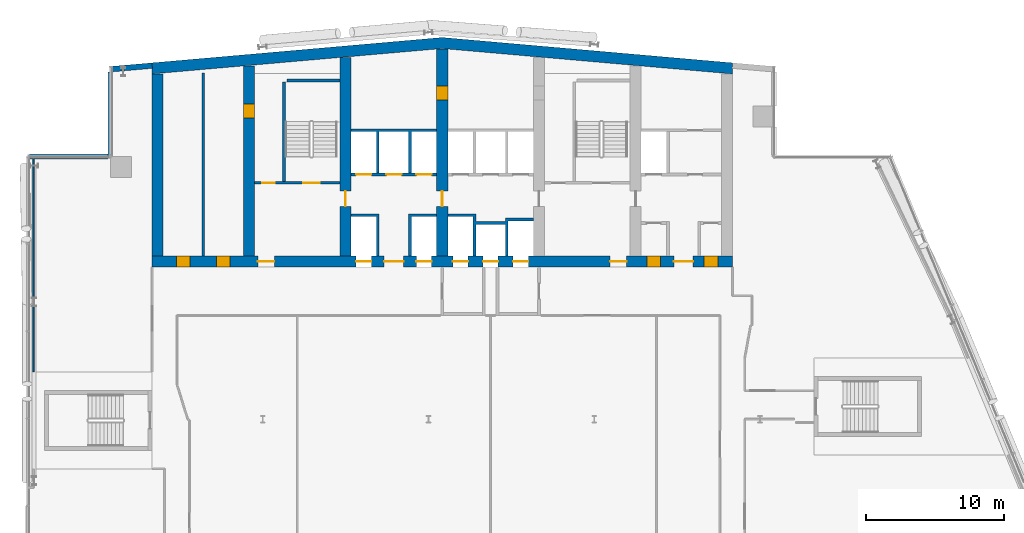
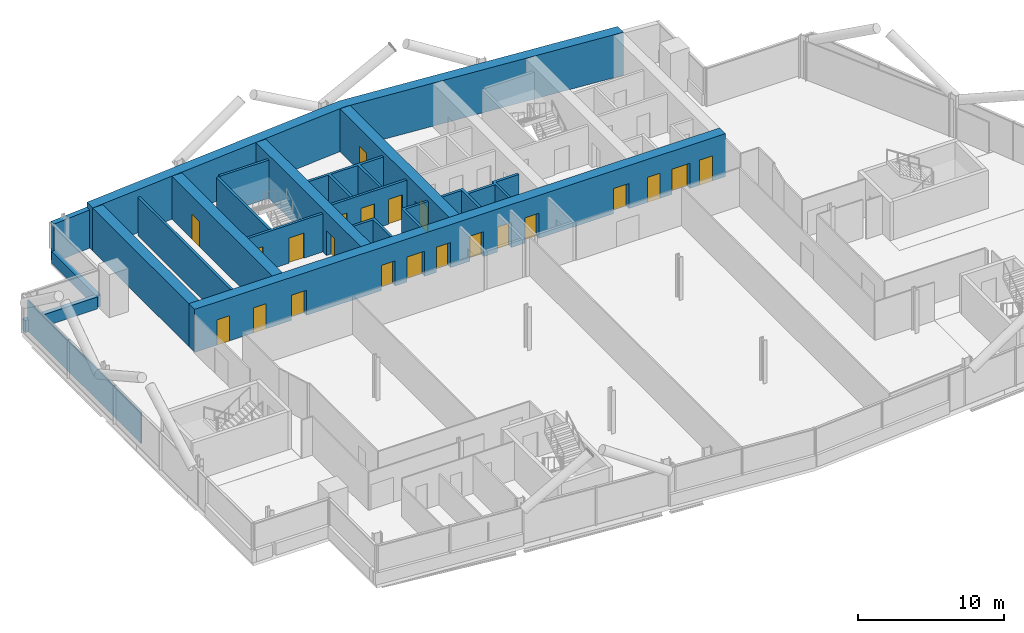
# One storey, part 18 of 26: 22 doors, 19 walls, 22 openings.
"""IFC4 building model written with IfcOpenShell, lengths in metres."""

from ifc_helpers import new_model, si_unit, direction, frame, frame_2d, origin, place, context, subcontext, project, spatial, polyline, rectangle, outline, extrude, material, layer, layer_set, type_object, element, fill, save


model = new_model("IFC4")

# Units and contexts
model_context = context("Model", 3, precision=1e-05, world=origin(), true_north=direction((0.0, 1.0)))
body_context = subcontext(model_context, "Body", "Model", "MODEL_VIEW")
ifc_project = project(units=[si_unit("LENGTHUNIT", "METRE"), si_unit("AREAUNIT", "SQUARE_METRE"), si_unit("VOLUMEUNIT", "CUBIC_METRE"), si_unit("PLANEANGLEUNIT", "RADIAN"), si_unit("MASSUNIT", "GRAM", prefix="KILO")], contexts=[model_context])

# Site, building, storey
site_placement = place(None, origin())
site = spatial("IfcSite", under=ifc_project, at=site_placement, CompositionType="ELEMENT")
building_placement = place(site_placement, origin())
building = spatial("IfcBuilding", under=site, at=building_placement, Name="Wharfspan Tower", CompositionType="ELEMENT")
storey_placement = place(building_placement, frame((0.0, 0.0, 177.100098)))
storey = spatial("IfcBuildingStorey", under=building, at=storey_placement, Name="L43", CompositionType="ELEMENT", Elevation=177.100098)

# Walls
ifc_material_1 = material(Name="Calcium silicate masonry", Category="masonry")
ifc_layer_1 = layer(ifc_material_1, 0.199951)
ifc_layer_set_1 = layer_set([ifc_layer_1], Name="Calcium silicate masonry")
wall_type_1 = type_object("IfcWallType", Name="Core room wall 200", PredefinedType="PARTITIONING", material=ifc_layer_set_1)
wall_1_placement = place(storey_placement, frame((19.699951, 34.800049, 0.0), z_axis=(0.0, 0.0, 1.0), x_axis=(0.0, 1.0, 0.0)))
element("IfcWall", 1, at=wall_1_placement, inside=storey, type_object=wall_type_1, Name="sw:L43:RM1", PredefinedType="PARTITIONING", context=body_context, shape_type="SweptSolid", body=[
    extrude(rectangle(XDim=13.234131, YDim=0.199951, at=frame_2d((6.617188, 0.0))), origin(), (0.0, 0.0, 1.0), 3.199951),
])
ifc_material_2 = material(Name="Concrete C60/75", Category="concrete")
ifc_layer_2 = layer(ifc_material_2, 0.800049)
ifc_layer_set_2 = layer_set([ifc_layer_2], Name="Concrete C60/75")
wall_type_2 = type_object("IfcWallType", Name="Core wall 800 C60/75", PredefinedType="SHEAR", material=ifc_layer_set_2)
wall_2_placement = place(storey_placement, frame((0.0, 0.0, -0.000244)))
element("IfcWall", 2, at=wall_2_placement, inside=storey, type_object=wall_type_2, Name="Core rear wall L43", PredefinedType="SHEAR", context=body_context, shape_type="SweptSolid", body=[
    extrude(outline(polyline([(16.0, 47.984375), (37.0, 49.821533), (58.0, 47.984375), (58.0, 48.787354), (37.0, 50.624756), (16.0, 48.787354), (16.0, 47.984375)])), origin(), (0.0, 0.0, 1.0), 3.600098),
])

# Wall, openings, doors
wall_3_placement = place(storey_placement, frame((16.0, 34.399902, 0.0), z_axis=(0.0, 0.0, 1.0), x_axis=(1.0, 0.0, 0.0)))
wall_3 = element("IfcWall", 3, at=wall_3_placement, inside=storey, type_object=wall_type_2, Name="Core front wall L43", PredefinedType="SHEAR", context=body_context, shape_type="SweptSolid", body=[
    extrude(rectangle(XDim=42.0, YDim=0.800049, at=frame_2d((21.0, 0.0))), origin(), (0.0, 0.0, 1.0), 3.599854),
])
opening_1_placement = place(wall_3_placement, frame((1.75, 0.0, 0.0)))
opening_1 = element("IfcOpeningElement", 4, at=opening_1_placement, cuts=wall_3, Name="Opening CD43.11", PredefinedType="OPENING", context=body_context, shape_type="SweptSolid", body=[
    extrude(rectangle(XDim=1.0, YDim=2.100098, at=frame_2d((0.5, 1.050049))), frame((0.0, 0.409912, 0.0), z_axis=(0.0, -1.0, 0.0), x_axis=(1.0, 0.0, 0.0)), (0.0, 0.0, 1.0), 0.820068),
])
opening_2_placement = place(wall_3_placement, frame((4.649902, 0.0, 0.0)))
opening_2 = element("IfcOpeningElement", 5, at=opening_2_placement, cuts=wall_3, Name="Opening CD43.12", PredefinedType="OPENING", context=body_context, shape_type="SweptSolid", body=[
    extrude(rectangle(XDim=1.0, YDim=2.100098, at=frame_2d((0.5, 1.050049))), frame((0.0, 0.409912, 0.0), z_axis=(0.0, -1.0, 0.0), x_axis=(1.0, 0.0, 0.0)), (0.0, 0.0, 1.0), 0.820068),
])
opening_3_placement = place(wall_3_placement, frame((7.649902, 0.0, 0.0)))
opening_3 = element("IfcOpeningElement", 6, at=opening_3_placement, cuts=wall_3, Name="Opening SV2.L43", PredefinedType="OPENING", context=body_context, shape_type="SweptSolid", body=[
    extrude(rectangle(XDim=1.199951, YDim=2.100098, at=frame_2d((0.600098, 1.050049))), frame((0.0, 0.409912, 0.0), z_axis=(0.0, -1.0, 0.0), x_axis=(1.0, 0.0, 0.0)), (0.0, 0.0, 1.0), 0.820068),
])
opening_4_placement = place(wall_3_placement, frame((14.766602, 0.0, 0.0)))
opening_4 = element("IfcOpeningElement", 7, at=opening_4_placement, cuts=wall_3, Name="Opening LD.SL1.L43", PredefinedType="OPENING", context=body_context, shape_type="SweptSolid", body=[
    extrude(rectangle(XDim=1.100098, YDim=2.100098, at=frame_2d((0.550049, 1.050049))), frame((0.0, 0.409912, 0.0), z_axis=(0.0, -1.0, 0.0), x_axis=(1.0, 0.0, 0.0)), (0.0, 0.0, 1.0), 0.820068),
])
opening_5_placement = place(wall_3_placement, frame((19.133301, 0.0, 0.0)))
opening_5 = element("IfcOpeningElement", 8, at=opening_5_placement, cuts=wall_3, Name="Opening LD.SL2.L43", PredefinedType="OPENING", context=body_context, shape_type="SweptSolid", body=[
    extrude(rectangle(XDim=1.100098, YDim=2.100098, at=frame_2d((0.550049, 1.050049))), frame((0.0, 0.409912, 0.0), z_axis=(0.0, -1.0, 0.0), x_axis=(1.0, 0.0, 0.0)), (0.0, 0.0, 1.0), 0.820068),
])
opening_6_placement = place(wall_3_placement, frame((16.800049, 0.0, 0.0)))
opening_6 = element("IfcOpeningElement", 9, at=opening_6_placement, cuts=wall_3, Name="Opening HD43.3", PredefinedType="OPENING", context=body_context, shape_type="SweptSolid", body=[
    extrude(rectangle(XDim=1.399902, YDim=2.100098, at=frame_2d((0.699951, 1.050049))), frame((0.0, 0.409912, 0.0), z_axis=(0.0, -1.0, 0.0), x_axis=(1.0, 0.0, 0.0)), (0.0, 0.0, 1.0), 0.820068),
])
opening_7_placement = place(wall_3_placement, frame((21.766602, 0.0, 0.0)))
opening_7 = element("IfcOpeningElement", 10, at=opening_7_placement, cuts=wall_3, Name="Opening LD.FF1.L43", PredefinedType="OPENING", context=body_context, shape_type="SweptSolid", body=[
    extrude(rectangle(XDim=1.100098, YDim=2.100098, at=frame_2d((0.550049, 1.050049))), frame((0.0, 0.409912, 0.0), z_axis=(0.0, -1.0, 0.0), x_axis=(1.0, 0.0, 0.0)), (0.0, 0.0, 1.0), 0.820068),
])
opening_8_placement = place(wall_3_placement, frame((23.949951, 0.0, 0.0)))
opening_8 = element("IfcOpeningElement", 11, at=opening_8_placement, cuts=wall_3, Name="Opening LD.LB7.L43", PredefinedType="OPENING", context=body_context, shape_type="SweptSolid", body=[
    extrude(rectangle(XDim=1.100098, YDim=2.100098, at=frame_2d((0.550049, 1.050049))), frame((0.0, 0.409912, 0.0), z_axis=(0.0, -1.0, 0.0), x_axis=(1.0, 0.0, 0.0)), (0.0, 0.0, 1.0), 0.820068),
])
opening_9_placement = place(wall_3_placement, frame((26.133301, 0.0, 0.0)))
opening_9 = element("IfcOpeningElement", 12, at=opening_9_placement, cuts=wall_3, Name="Opening LD.FF2.L43", PredefinedType="OPENING", context=body_context, shape_type="SweptSolid", body=[
    extrude(rectangle(XDim=1.100098, YDim=2.100098, at=frame_2d((0.550049, 1.050049))), frame((0.0, 0.409912, 0.0), z_axis=(0.0, -1.0, 0.0), x_axis=(1.0, 0.0, 0.0)), (0.0, 0.0, 1.0), 0.820068),
])
opening_10_placement = place(wall_3_placement, frame((33.149902, 0.0, 0.0)))
opening_10 = element("IfcOpeningElement", 13, at=opening_10_placement, cuts=wall_3, Name="Opening SV5.L43", PredefinedType="OPENING", context=body_context, shape_type="SweptSolid", body=[
    extrude(rectangle(XDim=1.199951, YDim=2.100098, at=frame_2d((0.600098, 1.050049))), frame((0.0, 0.409912, 0.0), z_axis=(0.0, -1.0, 0.0), x_axis=(1.0, 0.0, 0.0)), (0.0, 0.0, 1.0), 0.820068),
])
opening_11_placement = place(wall_3_placement, frame((35.81665, 0.0, 0.0)))
opening_11 = element("IfcOpeningElement", 14, at=opening_11_placement, cuts=wall_3, Name="Opening CD43.6F1", PredefinedType="OPENING", context=body_context, shape_type="SweptSolid", body=[
    extrude(rectangle(XDim=1.0, YDim=2.100098, at=frame_2d((0.5, 1.050049))), frame((0.0, 0.409912, 0.0), z_axis=(0.0, -1.0, 0.0), x_axis=(1.0, 0.0, 0.0)), (0.0, 0.0, 1.0), 0.820068),
])
opening_12_placement = place(wall_3_placement, frame((39.949951, 0.0, 0.0)))
opening_12 = element("IfcOpeningElement", 15, at=opening_12_placement, cuts=wall_3, Name="Opening CD43.6F3", PredefinedType="OPENING", context=body_context, shape_type="SweptSolid", body=[
    extrude(rectangle(XDim=1.0, YDim=2.100098, at=frame_2d((0.5, 1.050049))), frame((0.0, 0.409912, 0.0), z_axis=(0.0, -1.0, 0.0), x_axis=(1.0, 0.0, 0.0)), (0.0, 0.0, 1.0), 0.820068),
])
opening_13_placement = place(wall_3_placement, frame((37.766602, 0.0, 0.0)))
opening_13 = element("IfcOpeningElement", 16, at=opening_13_placement, cuts=wall_3, Name="Opening HD43.6", PredefinedType="OPENING", context=body_context, shape_type="SweptSolid", body=[
    extrude(rectangle(XDim=1.399902, YDim=2.100098, at=frame_2d((0.699951, 1.050049))), frame((0.0, 0.409912, 0.0), z_axis=(0.0, -1.0, 0.0), x_axis=(1.0, 0.0, 0.0)), (0.0, 0.0, 1.0), 0.820068),
])
ifc_material_3 = material(Name="Steel door leaf", Category="steel")
door_type_1 = type_object("IfcDoorType", Name="Core room door 1000x2100", OperationType="SINGLE_SWING_LEFT", PredefinedType="DOOR", material=ifc_material_3)
door_1_placement = place(opening_1_placement, origin())
door_1 = element("IfcDoor", 17, at=door_1_placement, inside=storey, type_object=door_type_1, Name="d:L43:1:rf", OperationType="SINGLE_SWING_LEFT", OverallHeight=2.100098, OverallWidth=1.0, PredefinedType="DOOR", context=body_context, shape_type="SweptSolid", body=[
    extrude(rectangle(XDim=1.0, YDim=2.100098, at=frame_2d((0.5, 1.050049))), frame((0.0, 0.399902, 0.0), z_axis=(0.0, -1.0, 0.0), x_axis=(1.0, 0.0, 0.0)), (0.0, 0.0, 1.0), 0.799561),
])
fill(opening_1, door_1)
door_2_placement = place(opening_2_placement, origin())
door_2 = element("IfcDoor", 18, at=door_2_placement, inside=storey, type_object=door_type_1, Name="d:L43:1:rr", OperationType="SINGLE_SWING_RIGHT", OverallHeight=2.100098, OverallWidth=1.0, PredefinedType="DOOR", context=body_context, shape_type="SweptSolid", body=[
    extrude(rectangle(XDim=1.0, YDim=2.100098, at=frame_2d((0.5, 1.050049))), frame((0.0, 0.399902, 0.0), z_axis=(0.0, -1.0, 0.0), x_axis=(1.0, 0.0, 0.0)), (0.0, 0.0, 1.0), 0.799561),
])
fill(opening_2, door_2)
door_3_placement = place(opening_11_placement, origin())
door_3 = element("IfcDoor", 19, at=door_3_placement, inside=storey, type_object=door_type_1, Name="d:L43:6:fd6.1", OperationType="SINGLE_SWING_LEFT", OverallHeight=2.100098, OverallWidth=1.0, PredefinedType="DOOR", context=body_context, shape_type="SweptSolid", body=[
    extrude(rectangle(XDim=1.0, YDim=2.100098, at=frame_2d((0.5, 1.050049))), frame((0.0, 0.399902, 0.0), z_axis=(0.0, -1.0, 0.0), x_axis=(1.0, 0.0, 0.0)), (0.0, 0.0, 1.0), 0.799561),
])
fill(opening_11, door_3)
door_4_placement = place(opening_12_placement, origin())
door_4 = element("IfcDoor", 20, at=door_4_placement, inside=storey, type_object=door_type_1, Name="d:L43:6:fd6.3", OperationType="SINGLE_SWING_LEFT", OverallHeight=2.100098, OverallWidth=1.0, PredefinedType="DOOR", context=body_context, shape_type="SweptSolid", body=[
    extrude(rectangle(XDim=1.0, YDim=2.100098, at=frame_2d((0.5, 1.050049))), frame((0.0, 0.399902, 0.0), z_axis=(0.0, -1.0, 0.0), x_axis=(1.0, 0.0, 0.0)), (0.0, 0.0, 1.0), 0.799561),
])
fill(opening_12, door_4)
door_type_2 = type_object("IfcDoorType", Name="Hall entry door 1400x2100", OperationType="DOUBLE_DOOR_SINGLE_SWING", PredefinedType="DOOR", material=ifc_material_3)
door_5_placement = place(opening_6_placement, origin())
door_5 = element("IfcDoor", 21, at=door_5_placement, inside=storey, type_object=door_type_2, Name="d:L43:3:hd3", OperationType="DOUBLE_DOOR_SINGLE_SWING", OverallHeight=2.100098, OverallWidth=1.399902, PredefinedType="DOOR", context=body_context, shape_type="SweptSolid", body=[
    extrude(rectangle(XDim=1.399902, YDim=2.100098, at=frame_2d((0.699951, 1.050049))), frame((0.0, 0.024902, 0.0), z_axis=(0.0, -1.0, 0.0), x_axis=(1.0, 0.0, 0.0)), (0.0, 0.0, 1.0), 0.050049),
])
fill(opening_6, door_5)
door_6_placement = place(opening_13_placement, origin())
door_6 = element("IfcDoor", 22, at=door_6_placement, inside=storey, type_object=door_type_2, Name="d:L43:6:hd6", OperationType="DOUBLE_DOOR_SINGLE_SWING", OverallHeight=2.100098, OverallWidth=1.399902, PredefinedType="DOOR", context=body_context, shape_type="SweptSolid", body=[
    extrude(rectangle(XDim=1.399902, YDim=2.100098, at=frame_2d((0.699951, 1.050049))), frame((0.0, 0.024902, 0.0), z_axis=(0.0, -1.0, 0.0), x_axis=(1.0, 0.0, 0.0)), (0.0, 0.0, 1.0), 0.050049),
])
fill(opening_13, door_6)
ifc_material_4 = material(Name="Stainless steel", Category="steel")
door_type_3 = type_object("IfcDoorType", Name="Lift landing door 1100x2100", OperationType="DOUBLE_DOOR_SLIDING", PredefinedType="DOOR", material=ifc_material_4)
door_7_placement = place(opening_4_placement, origin())
door_7 = element("IfcDoor", 23, at=door_7_placement, inside=storey, type_object=door_type_3, Name="Landing door SL1 L43", OperationType="DOUBLE_DOOR_SLIDING", OverallHeight=2.100098, OverallWidth=1.100098, PredefinedType="DOOR", context=body_context, shape_type="SweptSolid", body=[
    extrude(rectangle(XDim=1.100098, YDim=2.100098, at=frame_2d((0.550049, 1.050049))), frame((0.0, 0.024902, 0.0), z_axis=(0.0, -1.0, 0.0), x_axis=(1.0, 0.0, 0.0)), (0.0, 0.0, 1.0), 0.050049),
])
fill(opening_4, door_7)
door_8_placement = place(opening_5_placement, origin())
door_8 = element("IfcDoor", 24, at=door_8_placement, inside=storey, type_object=door_type_3, Name="Landing door SL2 L43", OperationType="DOUBLE_DOOR_SLIDING", OverallHeight=2.100098, OverallWidth=1.100098, PredefinedType="DOOR", context=body_context, shape_type="SweptSolid", body=[
    extrude(rectangle(XDim=1.100098, YDim=2.100098, at=frame_2d((0.550049, 1.050049))), frame((0.0, 0.024902, 0.0), z_axis=(0.0, -1.0, 0.0), x_axis=(1.0, 0.0, 0.0)), (0.0, 0.0, 1.0), 0.050049),
])
fill(opening_5, door_8)
door_9_placement = place(opening_7_placement, origin())
door_9 = element("IfcDoor", 25, at=door_9_placement, inside=storey, type_object=door_type_3, Name="Landing door FF1 L43", OperationType="DOUBLE_DOOR_SLIDING", OverallHeight=2.100098, OverallWidth=1.100098, PredefinedType="DOOR", context=body_context, shape_type="SweptSolid", body=[
    extrude(rectangle(XDim=1.100098, YDim=2.100098, at=frame_2d((0.550049, 1.050049))), frame((0.0, 0.024902, 0.0), z_axis=(0.0, -1.0, 0.0), x_axis=(1.0, 0.0, 0.0)), (0.0, 0.0, 1.0), 0.050049),
])
fill(opening_7, door_9)
door_10_placement = place(opening_8_placement, origin())
door_10 = element("IfcDoor", 26, at=door_10_placement, inside=storey, type_object=door_type_3, Name="Landing door LB7 L43", OperationType="DOUBLE_DOOR_SLIDING", OverallHeight=2.100098, OverallWidth=1.100098, PredefinedType="DOOR", context=body_context, shape_type="SweptSolid", body=[
    extrude(rectangle(XDim=1.100098, YDim=2.100098, at=frame_2d((0.550049, 1.050049))), frame((0.0, 0.024902, 0.0), z_axis=(0.0, -1.0, 0.0), x_axis=(1.0, 0.0, 0.0)), (0.0, 0.0, 1.0), 0.050049),
])
fill(opening_8, door_10)
door_11_placement = place(opening_9_placement, origin())
door_11 = element("IfcDoor", 27, at=door_11_placement, inside=storey, type_object=door_type_3, Name="Landing door FF2 L43", OperationType="DOUBLE_DOOR_SLIDING", OverallHeight=2.100098, OverallWidth=1.100098, PredefinedType="DOOR", context=body_context, shape_type="SweptSolid", body=[
    extrude(rectangle(XDim=1.100098, YDim=2.100098, at=frame_2d((0.550049, 1.050049))), frame((0.0, 0.024902, 0.0), z_axis=(0.0, -1.0, 0.0), x_axis=(1.0, 0.0, 0.0)), (0.0, 0.0, 1.0), 0.050049),
])
fill(opening_9, door_11)
door_type_4 = type_object("IfcDoorType", Name="Stair door 1200x2100", OperationType="SINGLE_SWING_LEFT", PredefinedType="DOOR", material=ifc_material_3)
door_12_placement = place(opening_3_placement, origin())
door_12 = element("IfcDoor", 28, at=door_12_placement, inside=storey, type_object=door_type_4, Name="vd:L43:2", OperationType="SINGLE_SWING_LEFT", OverallHeight=2.100098, OverallWidth=1.199951, PredefinedType="DOOR", context=body_context, shape_type="SweptSolid", body=[
    extrude(rectangle(XDim=1.199951, YDim=2.100098, at=frame_2d((0.600098, 1.050049))), frame((0.0, 0.024902, 0.0), z_axis=(0.0, -1.0, 0.0), x_axis=(1.0, 0.0, 0.0)), (0.0, 0.0, 1.0), 0.050049),
])
fill(opening_3, door_12)
door_13_placement = place(opening_10_placement, origin())
door_13 = element("IfcDoor", 29, at=door_13_placement, inside=storey, type_object=door_type_4, Name="vd:L43:5", OperationType="SINGLE_SWING_LEFT", OverallHeight=2.100098, OverallWidth=1.199951, PredefinedType="DOOR", context=body_context, shape_type="SweptSolid", body=[
    extrude(rectangle(XDim=1.199951, YDim=2.100098, at=frame_2d((0.600098, 1.050049))), frame((0.0, 0.024902, 0.0), z_axis=(0.0, -1.0, 0.0), x_axis=(1.0, 0.0, 0.0)), (0.0, 0.0, 1.0), 0.050049),
])
fill(opening_10, door_13)

# Wall
wall_4_placement = place(storey_placement, frame((16.399902, 34.800049, 0.0), z_axis=(0.0, 0.0, 1.0), x_axis=(0.0, 1.0, 0.0)))
element("IfcWall", 30, at=wall_4_placement, inside=storey, type_object=wall_type_2, Name="Core cross wall EW0 L43", PredefinedType="SHEAR", context=body_context, shape_type="SweptSolid", body=[
    extrude(rectangle(XDim=13.184326, YDim=0.800049, at=frame_2d((6.592285, 0.0))), origin(), (0.0, 0.0, 1.0), 3.599854),
])

# Wall, opening, door
wall_5_placement = place(storey_placement, frame((23.0, 34.800049, 0.0), z_axis=(0.0, 0.0, 1.0), x_axis=(0.0, 1.0, 0.0)))
wall_5 = element("IfcWall", 31, at=wall_5_placement, inside=storey, type_object=wall_type_2, Name="Core cross wall X2 L43", PredefinedType="SHEAR", context=body_context, shape_type="SweptSolid", body=[
    extrude(rectangle(XDim=13.761719, YDim=0.800049, at=frame_2d((6.880859, 0.0))), origin(), (0.0, 0.0, 1.0), 3.599854),
])
opening_14_placement = place(wall_5_placement, frame((10.0, 0.0, 0.0)))
opening_14 = element("IfcOpeningElement", 32, at=opening_14_placement, cuts=wall_5, Name="Opening CR43.2", PredefinedType="OPENING", context=body_context, shape_type="SweptSolid", body=[
    extrude(rectangle(XDim=1.0, YDim=2.100098, at=frame_2d((0.5, 1.050049))), frame((0.0, 0.409912, 0.0), z_axis=(0.0, -1.0, 0.0), x_axis=(1.0, 0.0, 0.0)), (0.0, 0.0, 1.0), 0.820068),
])
door_14_placement = place(opening_14_placement, origin())
door_14 = element("IfcDoor", 33, at=door_14_placement, inside=storey, type_object=door_type_1, Name="xr:L43:2", OperationType="SINGLE_SWING_RIGHT", OverallHeight=2.100098, OverallWidth=1.0, PredefinedType="DOOR", context=body_context, shape_type="SweptSolid", body=[
    extrude(rectangle(XDim=1.0, YDim=2.100098, at=frame_2d((0.5, 1.050049))), frame((0.0, 0.399902, 0.0), z_axis=(0.0, -1.0, 0.0), x_axis=(1.0, 0.0, 0.0)), (0.0, 0.0, 1.0), 0.799561),
])
fill(opening_14, door_14)

wall_6_placement = place(storey_placement, frame((30.0, 34.800049, 0.0), z_axis=(0.0, 0.0, 1.0), x_axis=(0.0, 1.0, 0.0)))
wall_6 = element("IfcWall", 34, at=wall_6_placement, inside=storey, type_object=wall_type_2, Name="Core cross wall X3 L43", PredefinedType="SHEAR", context=body_context, shape_type="SweptSolid", body=[
    extrude(rectangle(XDim=14.374023, YDim=0.800049, at=frame_2d((7.187012, 0.0))), origin(), (0.0, 0.0, 1.0), 3.599854),
])
opening_15_placement = place(wall_6_placement, frame((3.600098, 0.0, 0.0)))
opening_15 = element("IfcOpeningElement", 35, at=opening_15_placement, cuts=wall_6, Name="Opening CC43.3", PredefinedType="OPENING", context=body_context, shape_type="SweptSolid", body=[
    extrude(rectangle(XDim=1.100098, YDim=2.100098, at=frame_2d((0.550049, 1.050049))), frame((0.0, 0.409912, 0.0), z_axis=(0.0, -1.0, 0.0), x_axis=(1.0, 0.0, 0.0)), (0.0, 0.0, 1.0), 0.820068),
])
door_type_5 = type_object("IfcDoorType", Name="Core corridor door 1100x2100", OperationType="SINGLE_SWING_LEFT", PredefinedType="DOOR", material=ifc_material_3)
door_15_placement = place(opening_15_placement, origin())
door_15 = element("IfcDoor", 36, at=door_15_placement, inside=storey, type_object=door_type_5, Name="xd:L43:3", OperationType="SINGLE_SWING_LEFT", OverallHeight=2.100098, OverallWidth=1.100098, PredefinedType="DOOR", context=body_context, shape_type="SweptSolid", body=[
    extrude(rectangle(XDim=1.100098, YDim=2.100098, at=frame_2d((0.550049, 1.050049))), frame((0.0, 0.024902, 0.0), z_axis=(0.0, -1.0, 0.0), x_axis=(1.0, 0.0, 0.0)), (0.0, 0.0, 1.0), 0.050049),
])
fill(opening_15, door_15)

# Wall, openings, doors
wall_7_placement = place(storey_placement, frame((37.0, 34.800049, 0.0), z_axis=(0.0, 0.0, 1.0), x_axis=(0.0, 1.0, 0.0)))
wall_7 = element("IfcWall", 37, at=wall_7_placement, inside=storey, type_object=wall_type_2, Name="Core cross wall X4 L43", PredefinedType="SHEAR", context=body_context, shape_type="SweptSolid", body=[
    extrude(rectangle(XDim=14.986572, YDim=0.800049, at=frame_2d((7.493164, 0.0))), origin(), (0.0, 0.0, 1.0), 3.599854),
])
opening_16_placement = place(wall_7_placement, frame((11.312012, 0.0, 0.0)))
opening_16 = element("IfcOpeningElement", 38, at=opening_16_placement, cuts=wall_7, Name="Opening CD43.3X", PredefinedType="OPENING", context=body_context, shape_type="SweptSolid", body=[
    extrude(rectangle(XDim=1.0, YDim=2.100098, at=frame_2d((0.5, 1.050049))), frame((0.0, 0.409912, 0.0), z_axis=(0.0, -1.0, 0.0), x_axis=(1.0, 0.0, 0.0)), (0.0, 0.0, 1.0), 0.820068),
])
opening_17_placement = place(wall_7_placement, frame((3.600098, 0.0, 0.0)))
opening_17 = element("IfcOpeningElement", 39, at=opening_17_placement, cuts=wall_7, Name="Opening CC43.4", PredefinedType="OPENING", context=body_context, shape_type="SweptSolid", body=[
    extrude(rectangle(XDim=1.100098, YDim=2.100098, at=frame_2d((0.550049, 1.050049))), frame((0.0, 0.409912, 0.0), z_axis=(0.0, -1.0, 0.0), x_axis=(1.0, 0.0, 0.0)), (0.0, 0.0, 1.0), 0.820068),
])
door_16_placement = place(opening_17_placement, origin())
door_16 = element("IfcDoor", 40, at=door_16_placement, inside=storey, type_object=door_type_5, Name="xd:L43:4", OperationType="SINGLE_SWING_RIGHT", OverallHeight=2.100098, OverallWidth=1.100098, PredefinedType="DOOR", context=body_context, shape_type="SweptSolid", body=[
    extrude(rectangle(XDim=1.100098, YDim=2.100098, at=frame_2d((0.550049, 1.050049))), frame((0.0, 0.024902, 0.0), z_axis=(0.0, -1.0, 0.0), x_axis=(1.0, 0.0, 0.0)), (0.0, 0.0, 1.0), 0.050049),
])
fill(opening_17, door_16)
door_17_placement = place(opening_16_placement, origin())
door_17 = element("IfcDoor", 41, at=door_17_placement, inside=storey, type_object=door_type_1, Name="d:L43:3:sx", OperationType="SINGLE_SWING_LEFT", OverallHeight=2.100098, OverallWidth=1.0, PredefinedType="DOOR", context=body_context, shape_type="SweptSolid", body=[
    extrude(rectangle(XDim=1.0, YDim=2.100098, at=frame_2d((0.5, 1.050049))), frame((0.0, 0.399902, 0.0), z_axis=(0.0, -1.0, 0.0), x_axis=(1.0, 0.0, 0.0)), (0.0, 0.0, 1.0), 0.799561),
])
fill(opening_16, door_17)

ifc_material_5 = material(Name="Concrete C30/37", Category="concrete")
ifc_layer_3 = layer(ifc_material_5, 0.199951)
ifc_layer_set_3 = layer_set([ifc_layer_3], Name="Concrete C30/37")
wall_type_3 = type_object("IfcWallType", Name="Lift shaft wall 200", PredefinedType="PARTITIONING", material=ifc_layer_set_3)
wall_8_placement = place(storey_placement, frame((30.399902, 40.699951, 0.0), z_axis=(0.0, 0.0, 1.0), x_axis=(1.0, 0.0, 0.0)))
wall_8 = element("IfcWall", 42, at=wall_8_placement, inside=storey, type_object=wall_type_3, Name="sw:L43:RF3", PredefinedType="PARTITIONING", context=body_context, shape_type="SweptSolid", body=[
    extrude(rectangle(XDim=6.200195, YDim=0.199951, at=frame_2d((3.100098, 0.0))), origin(), (0.0, 0.0, 1.0), 3.199951),
])
opening_18_placement = place(wall_8_placement, frame((0.366699, 0.0, 0.0)))
opening_18 = element("IfcOpeningElement", 43, at=opening_18_placement, cuts=wall_8, Name="Opening LD.LB1.L43", PredefinedType="OPENING", context=body_context, shape_type="SweptSolid", body=[
    extrude(rectangle(XDim=1.100098, YDim=2.100098, at=frame_2d((0.550049, 1.050049))), frame((0.0, 0.109863, 0.0), z_axis=(0.0, -1.0, 0.0), x_axis=(1.0, 0.0, 0.0)), (0.0, 0.0, 1.0), 0.219971),
])
opening_19_placement = place(wall_8_placement, frame((2.550049, 0.0, 0.0)))
opening_19 = element("IfcOpeningElement", 44, at=opening_19_placement, cuts=wall_8, Name="Opening LD.LB2.L43", PredefinedType="OPENING", context=body_context, shape_type="SweptSolid", body=[
    extrude(rectangle(XDim=1.100098, YDim=2.100098, at=frame_2d((0.550049, 1.050049))), frame((0.0, 0.109863, 0.0), z_axis=(0.0, -1.0, 0.0), x_axis=(1.0, 0.0, 0.0)), (0.0, 0.0, 1.0), 0.219971),
])
opening_20_placement = place(wall_8_placement, frame((4.733398, 0.0, 0.0)))
opening_20 = element("IfcOpeningElement", 45, at=opening_20_placement, cuts=wall_8, Name="Opening LD.LB3.L43", PredefinedType="OPENING", context=body_context, shape_type="SweptSolid", body=[
    extrude(rectangle(XDim=1.100098, YDim=2.100098, at=frame_2d((0.550049, 1.050049))), frame((0.0, 0.109863, 0.0), z_axis=(0.0, -1.0, 0.0), x_axis=(1.0, 0.0, 0.0)), (0.0, 0.0, 1.0), 0.219971),
])
door_18_placement = place(opening_18_placement, origin())
door_18 = element("IfcDoor", 46, at=door_18_placement, inside=storey, type_object=door_type_3, Name="Landing door LB1 L43", OperationType="DOUBLE_DOOR_SLIDING", OverallHeight=2.100098, OverallWidth=1.100098, PredefinedType="DOOR", context=body_context, shape_type="SweptSolid", body=[
    extrude(rectangle(XDim=1.100098, YDim=2.100098, at=frame_2d((0.550049, 1.050049))), frame((0.0, 0.024902, 0.0), z_axis=(0.0, -1.0, 0.0), x_axis=(1.0, 0.0, 0.0)), (0.0, 0.0, 1.0), 0.050049),
])
fill(opening_18, door_18)
door_19_placement = place(opening_19_placement, origin())
door_19 = element("IfcDoor", 47, at=door_19_placement, inside=storey, type_object=door_type_3, Name="Landing door LB2 L43", OperationType="DOUBLE_DOOR_SLIDING", OverallHeight=2.100098, OverallWidth=1.100098, PredefinedType="DOOR", context=body_context, shape_type="SweptSolid", body=[
    extrude(rectangle(XDim=1.100098, YDim=2.100098, at=frame_2d((0.550049, 1.050049))), frame((0.0, 0.024902, 0.0), z_axis=(0.0, -1.0, 0.0), x_axis=(1.0, 0.0, 0.0)), (0.0, 0.0, 1.0), 0.050049),
])
fill(opening_19, door_19)
door_20_placement = place(opening_20_placement, origin())
door_20 = element("IfcDoor", 48, at=door_20_placement, inside=storey, type_object=door_type_3, Name="Landing door LB3 L43", OperationType="DOUBLE_DOOR_SLIDING", OverallHeight=2.100098, OverallWidth=1.100098, PredefinedType="DOOR", context=body_context, shape_type="SweptSolid", body=[
    extrude(rectangle(XDim=1.100098, YDim=2.100098, at=frame_2d((0.550049, 1.050049))), frame((0.0, 0.024902, 0.0), z_axis=(0.0, -1.0, 0.0), x_axis=(1.0, 0.0, 0.0)), (0.0, 0.0, 1.0), 0.050049),
])
fill(opening_20, door_20)

# Walls
wall_9_placement = place(storey_placement, frame((0.0, 0.0, -0.000244)))
element("IfcWall", 49, at=wall_9_placement, inside=storey, type_object=wall_type_3, Name="sw:L43:FM3.0", PredefinedType="PARTITIONING", context=body_context, shape_type="SweptSolid", body=[
    extrude(outline(polyline([(32.233398, 37.649902), (30.399902, 37.649902), (30.399902, 37.850098), (32.233398, 37.850098), (32.43335, 37.850098), (32.43335, 34.800049), (32.233398, 34.800049), (32.233398, 37.649902)])), origin(), (0.0, 0.0, 1.0), 3.200195),
])
wall_10_placement = place(storey_placement, frame((0.0, 0.0, -0.000244)))
element("IfcWall", 50, at=wall_10_placement, inside=storey, type_object=wall_type_3, Name="sw:L43:FM3.1", PredefinedType="PARTITIONING", context=body_context, shape_type="SweptSolid", body=[
    extrude(outline(polyline([(34.56665, 37.850098), (34.766602, 37.850098), (36.600098, 37.850098), (36.600098, 37.649902), (34.766602, 37.649902), (34.766602, 34.800049), (34.56665, 34.800049), (34.56665, 37.850098)])), origin(), (0.0, 0.0, 1.0), 3.200195),
])
wall_11_placement = place(storey_placement, frame((0.0, 0.0, -0.000244)))
element("IfcWall", 51, at=wall_11_placement, inside=storey, type_object=wall_type_3, Name="sw:L43:RM3.0", PredefinedType="PARTITIONING", context=body_context, shape_type="SweptSolid", body=[
    extrude(outline(polyline([(32.43335, 40.800049), (32.233398, 40.800049), (32.233398, 43.800049), (30.399902, 43.800049), (30.399902, 44.0), (36.600098, 44.0), (36.600098, 43.800049), (34.766602, 43.800049), (34.766602, 40.800049), (34.56665, 40.800049), (34.56665, 43.800049), (32.43335, 43.800049), (32.43335, 40.800049)])), origin(), (0.0, 0.0, 1.0), 3.200195),
])
wall_12_placement = place(storey_placement, frame((0.0, 0.0, -0.000244)))
element("IfcWall", 52, at=wall_12_placement, inside=storey, type_object=wall_type_3, Name="sw:L43:FM4.0", PredefinedType="PARTITIONING", context=body_context, shape_type="SweptSolid", body=[
    extrude(outline(polyline([(41.56665, 37.100098), (39.43335, 37.100098), (39.43335, 34.800049), (39.233398, 34.800049), (39.233398, 37.649902), (37.399902, 37.649902), (37.399902, 37.850098), (39.233398, 37.850098), (39.43335, 37.850098), (39.43335, 37.300049), (41.56665, 37.300049), (41.56665, 37.550049), (41.766602, 37.550049), (43.600098, 37.550049), (43.600098, 37.350098), (41.766602, 37.350098), (41.766602, 34.800049), (41.56665, 34.800049), (41.56665, 37.100098)])), origin(), (0.0, 0.0, 1.0), 3.200195),
])
ifc_material_6 = material(Name="Gypsum board on steel studs", Category="steel")
ifc_layer_4 = layer(ifc_material_6, 0.100098)
ifc_layer_set_4 = layer_set([ifc_layer_4], Name="Gypsum board on steel studs")
wall_type_4 = type_object("IfcWallType", Name="Partition 100", PredefinedType="PARTITIONING", material=ifc_layer_set_4)
wall_13_placement = place(storey_placement, frame((7.419922, 26.419922, 0.0), z_axis=(0.0, 0.0, 1.0), x_axis=(0.0, 1.0, 0.0)))
element("IfcWall", 53, at=wall_13_placement, inside=storey, type_object=wall_type_4, Name="Partition L43.w003", PredefinedType="PARTITIONING", context=body_context, shape_type="SweptSolid", body=[
    extrude(rectangle(XDim=15.560059, YDim=0.100098, at=frame_2d((7.780029, 0.0))), origin(), (0.0, 0.0, 1.0), 2.579834),
])
ifc_material_7 = material(Name="Concrete C40/50", Category="concrete")
ifc_layer_5 = layer(ifc_material_7, 0.350098)
ifc_layer_set_5 = layer_set([ifc_layer_5], Name="Concrete C40/50")
wall_type_5 = type_object("IfcWallType", Name="SPANDREL EXPOSED CONCRETE 350", PredefinedType="SOLIDWALL", material=ifc_layer_set_5)
wall_14_placement = place(storey_placement, frame((12.995117, 48.126465, 0.0), z_axis=(0.0, 0.0, 1.0), x_axis=(0.0, -1.0, 0.0)))
element("IfcWall", 54, at=wall_14_placement, inside=storey, type_object=wall_type_5, Name="Spandrel upstand L43 NRW-V", PredefinedType="SOLIDWALL", context=body_context, shape_type="SweptSolid", body=[
    extrude(rectangle(XDim=6.126465, YDim=0.350098, at=frame_2d((3.063232, 0.0))), origin(), (0.0, 0.0, 1.0), 1.0),
])
wall_15_placement = place(storey_placement, frame((12.820068, 42.004883, 0.0), z_axis=(0.0, 0.0, 1.0), x_axis=(-1.0, 0.0, 0.0)))
element("IfcWall", 55, at=wall_15_placement, inside=storey, type_object=wall_type_5, Name="Spandrel upstand L43 NRW-H", PredefinedType="SOLIDWALL", context=body_context, shape_type="SweptSolid", body=[
    extrude(rectangle(XDim=5.699951, YDim=0.350098, at=frame_2d((2.850098, 0.0))), origin(), (0.0, 0.0, 1.0), 1.0),
])

# Wall, openings, doors
ifc_layer_6 = layer(ifc_material_7, 0.199951)
ifc_layer_set_6 = layer_set([ifc_layer_6], Name="Concrete C40/50")
wall_type_6 = type_object("IfcWallType", Name="Stair shaft wall 200", PredefinedType="SHEAR", material=ifc_layer_set_6)
wall_16_placement = place(storey_placement, frame((23.399902, 40.100098, 0.0), z_axis=(0.0, 0.0, 1.0), x_axis=(1.0, 0.0, 0.0)))
wall_16 = element("IfcWall", 56, at=wall_16_placement, inside=storey, type_object=wall_type_6, Name="ST1 stair enclosure wall L43", PredefinedType="SHEAR", context=body_context, shape_type="SweptSolid", body=[
    extrude(rectangle(XDim=6.200195, YDim=0.199951, at=frame_2d((3.100098, 0.0))), origin(), (0.0, 0.0, 1.0), 3.199951),
])
opening_21_placement = place(wall_16_placement, frame((3.524902, 0.0, 0.0)))
opening_21 = element("IfcOpeningElement", 57, at=opening_21_placement, cuts=wall_16, Name="Opening SD2.L43", PredefinedType="OPENING", context=body_context, shape_type="SweptSolid", body=[
    extrude(rectangle(XDim=1.199951, YDim=2.100098, at=frame_2d((0.600098, 1.050049))), frame((0.0, 0.109863, 0.0), z_axis=(0.0, -1.0, 0.0), x_axis=(1.0, 0.0, 0.0)), (0.0, 0.0, 1.0), 0.219971),
])
opening_22_placement = place(wall_16_placement, frame((0.574951, 0.0, 0.0)))
opening_22 = element("IfcOpeningElement", 58, at=opening_22_placement, cuts=wall_16, Name="Opening CD43.2R", PredefinedType="OPENING", context=body_context, shape_type="SweptSolid", body=[
    extrude(rectangle(XDim=0.899902, YDim=2.100098, at=frame_2d((0.449951, 1.050049))), frame((0.0, 0.109863, 0.0), z_axis=(0.0, -1.0, 0.0), x_axis=(1.0, 0.0, 0.0)), (0.0, 0.0, 1.0), 0.219971),
])
door_21_placement = place(opening_22_placement, origin())
door_21 = element("IfcDoor", 59, at=door_21_placement, inside=storey, type_object=door_type_1, Name="rk:L43:2", OperationType="SINGLE_SWING_LEFT", OverallHeight=2.100098, OverallWidth=0.899902, PredefinedType="DOOR", context=body_context, shape_type="SweptSolid", body=[
    extrude(rectangle(XDim=0.899902, YDim=2.100098, at=frame_2d((0.449951, 1.050049))), frame((0.0, 0.024902, 0.0), z_axis=(0.0, -1.0, 0.0), x_axis=(1.0, 0.0, 0.0)), (0.0, 0.0, 1.0), 0.050049),
])
fill(opening_22, door_21)
door_22_placement = place(opening_21_placement, origin())
door_22 = element("IfcDoor", 60, at=door_22_placement, inside=storey, type_object=door_type_4, Name="sd:L43:2", OperationType="SINGLE_SWING_RIGHT", OverallHeight=2.100098, OverallWidth=1.199951, PredefinedType="DOOR", context=body_context, shape_type="SweptSolid", body=[
    extrude(rectangle(XDim=1.199951, YDim=2.100098, at=frame_2d((0.600098, 1.050049))), frame((0.0, 0.024902, 0.0), z_axis=(0.0, -1.0, 0.0), x_axis=(1.0, 0.0, 0.0)), (0.0, 0.0, 1.0), 0.050049),
])
fill(opening_21, door_22)

# Walls
wall_17_placement = place(storey_placement, frame((25.550049, 40.199951, 0.0), z_axis=(0.0, 0.0, 1.0), x_axis=(0.0, 1.0, 0.0)))
element("IfcWall", 61, at=wall_17_placement, inside=storey, type_object=wall_type_6, Name="ST1 stair enclosure wall L43", PredefinedType="SHEAR", context=body_context, shape_type="SweptSolid", body=[
    extrude(rectangle(XDim=7.199951, YDim=0.199951, at=frame_2d((3.600098, 0.0))), origin(), (0.0, 0.0, 1.0), 3.199951),
])
wall_18_placement = place(storey_placement, frame((25.75, 47.5, 0.0), z_axis=(0.0, 0.0, 1.0), x_axis=(1.0, 0.0, 0.0)))
element("IfcWall", 62, at=wall_18_placement, inside=storey, type_object=wall_type_6, Name="ST1 stair enclosure wall L43", PredefinedType="SHEAR", context=body_context, shape_type="SweptSolid", body=[
    extrude(rectangle(XDim=3.850098, YDim=0.199951, at=frame_2d((1.925049, 0.0))), origin(), (0.0, 0.0, 1.0), 3.199951),
])
ifc_layer_7 = layer(ifc_material_7, 0.399902)
ifc_layer_set_7 = layer_set([ifc_layer_7], Name="Concrete C40/50")
wall_type_7 = type_object("IfcWallType", Name="WALL EXPOSED CONCRETE 400", PredefinedType="SOLIDWALL", material=ifc_layer_set_7)
wall_19_placement = place(storey_placement, frame((16.0, 48.58667, 0.0), z_axis=(0.0, 0.0, 1.0), x_axis=(-0.996194, -0.087168, 0.0)))
element("IfcWall", 63, at=wall_19_placement, inside=storey, type_object=wall_type_7, Name="Rear wall N1", PredefinedType="SOLIDWALL", context=body_context, shape_type="SweptSolid", body=[
    extrude(rectangle(XDim=2.994141, YDim=0.399902, at=frame_2d((1.49707, 0.0))), origin(), (0.0, 0.0, 1.0), 3.199951),
])

save(model, "model.ifc")
